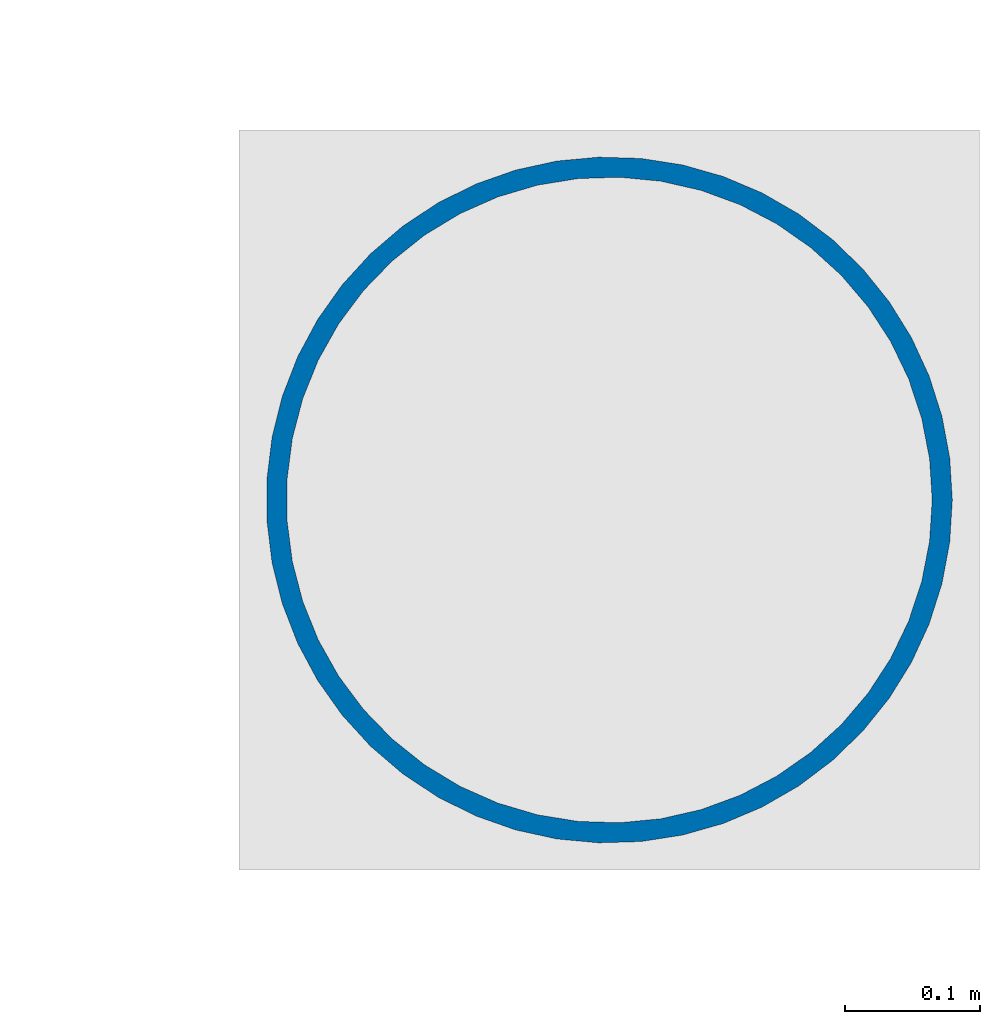
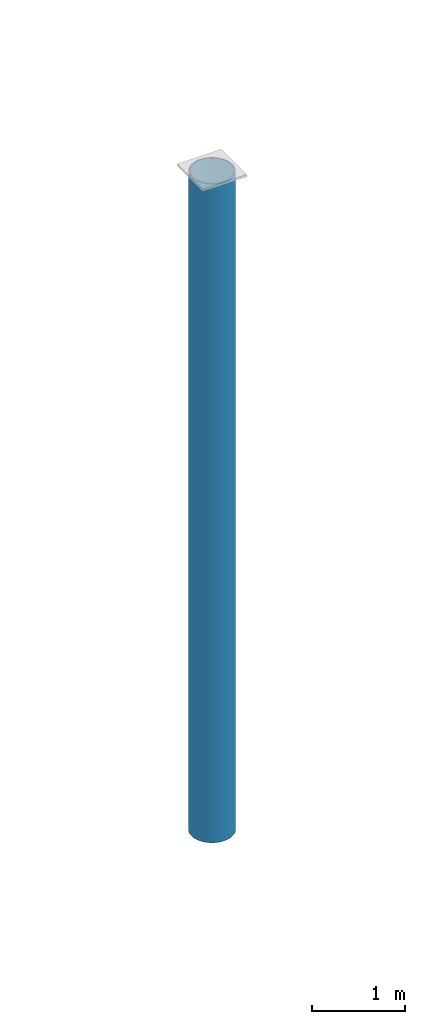
# One storey, part 18 of 77: 1 column.
"""IFC4 building model written with IfcOpenShell, lengths in metres."""

from ifc_helpers import new_model, si_unit, direction, frame, origin, origin_2d, place, context, subcontext, project, spatial, hollow_circle, extrude, material, material_profile, profile_set, type_object, element, save


model = new_model("IFC4")

# Units and contexts
model_context = context("Model", 3, precision=1e-05, world=origin(), true_north=direction((0.0, 1.0)))
body_context = subcontext(model_context, "Body", "Model", "MODEL_VIEW")
ifc_project = project(units=[si_unit("LENGTHUNIT", "METRE"), si_unit("AREAUNIT", "SQUARE_METRE"), si_unit("VOLUMEUNIT", "CUBIC_METRE"), si_unit("PLANEANGLEUNIT", "RADIAN"), si_unit("MASSUNIT", "GRAM", prefix="KILO")], contexts=[model_context])

# Site, building, storey
site_placement = place(None, origin())
site = spatial("IfcSite", under=ifc_project, at=site_placement, CompositionType="ELEMENT")
building_placement = place(site_placement, origin())
building = spatial("IfcBuilding", under=site, at=building_placement, Name="Drelvath Fold Interchange", CompositionType="ELEMENT")
storey_placement = place(building_placement, frame((0.0, 0.0, 6.0)))
storey = spatial("IfcBuildingStorey", under=building, at=storey_placement, Name="L01", CompositionType="ELEMENT", Elevation=6.0)

# Column
ifc_material = material(Name="Steel ASTM A500 Grade C", Category="steel")
ifc_material_profile = material_profile(ifc_material, hollow_circle(Radius=0.25390625, WallThickness=0.014892578125, at=origin_2d()), Name="HSS20.000X0.625")
ifc_profile_set = profile_set([ifc_material_profile], Name="Steel ASTM A500 Grade C")
column_type = type_object("IfcColumnType", Name="COL-CFT508", PredefinedType="COLUMN", material=ifc_profile_set)
column_placement = place(storey_placement, frame((174.0, 67.0, 0.0), z_axis=(0.0, 0.0, 1.0), x_axis=(1.0, 0.0, 0.0)))
element("IfcColumn", 1, at=column_placement, inside=storey, type_object=column_type, Name="L01 column (174,67)", PredefinedType="COLUMN", context=body_context, shape_type="SweptSolid", body=[
    extrude(hollow_circle(Radius=0.25390625, WallThickness=0.014892578125, at=origin_2d()), origin(), (0.0, 0.0, 1.0), 8.64111328125),
])

save(model, "model.ifc")
